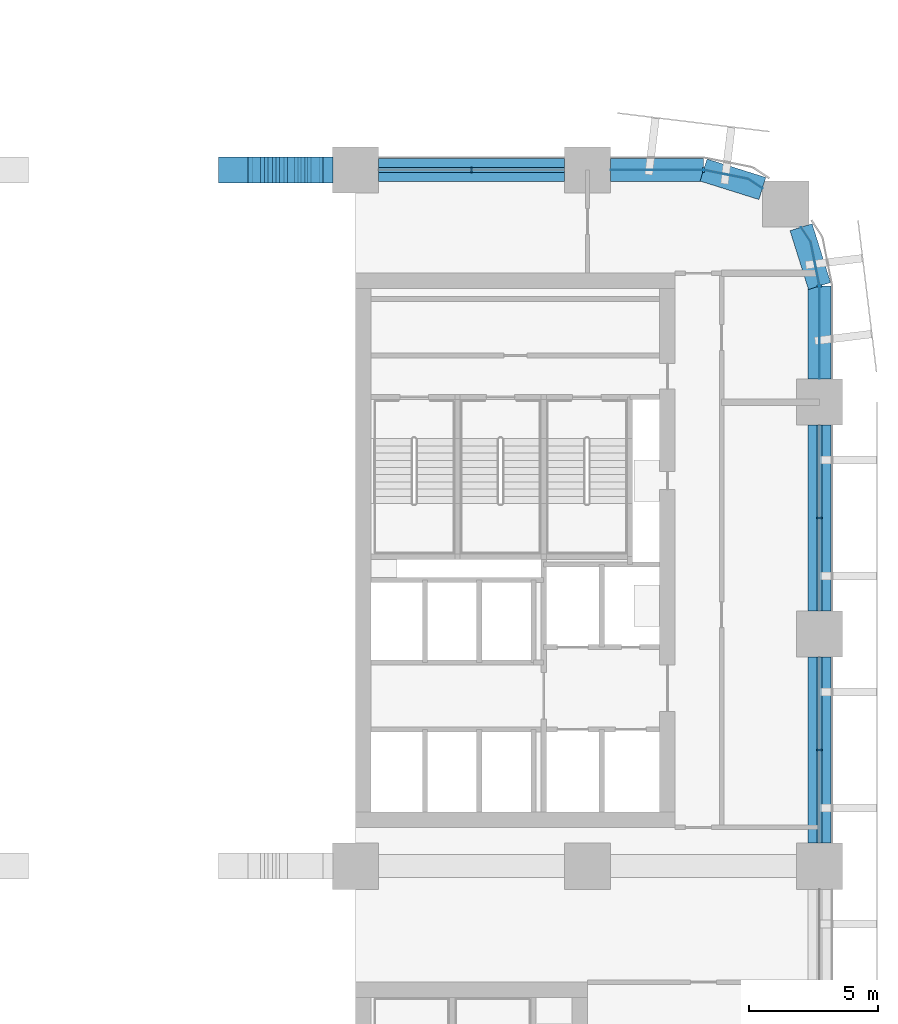
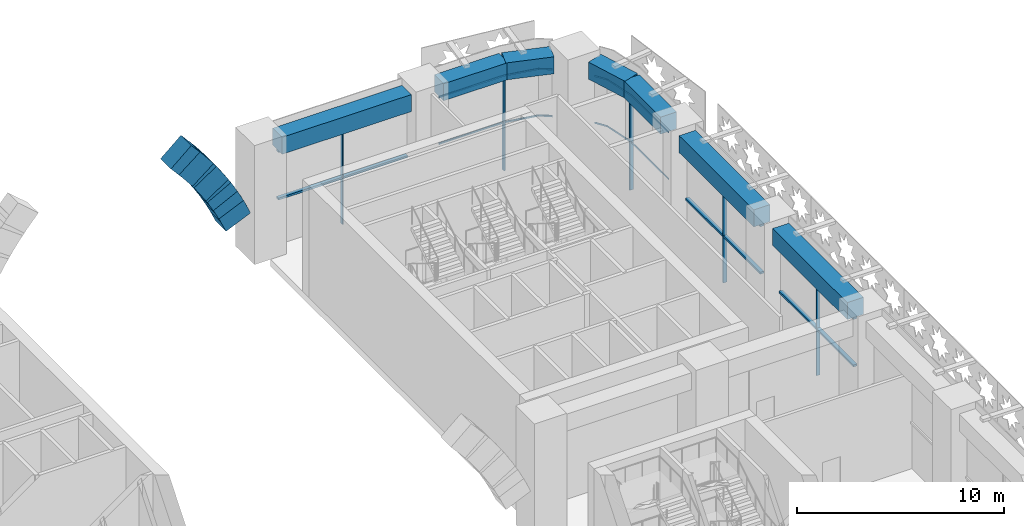
# One storey, part 9 of 42: 23 members, 7 beams, 5 elements without a shape of their own.
"""IFC4 building model written with IfcOpenShell, lengths in metres."""

from ifc_helpers import new_model, si_unit, direction, frame, origin, origin_2d, place, context, subcontext, project, spatial, polyline, rectangle, outline, extrude, material, material_profile, profile_set, type_object, element, aggregate, save


model = new_model("IFC4")

# Units and contexts
model_context = context("Model", 3, precision=1e-05, world=origin(), true_north=direction((0.0, 1.0)))
body_context = subcontext(model_context, "Body", "Model", "MODEL_VIEW")
ifc_project = project(units=[si_unit("LENGTHUNIT", "METRE"), si_unit("AREAUNIT", "SQUARE_METRE"), si_unit("VOLUMEUNIT", "CUBIC_METRE"), si_unit("PLANEANGLEUNIT", "RADIAN"), si_unit("MASSUNIT", "GRAM", prefix="KILO")], contexts=[model_context])

# Site, building, storey
site_placement = place(None, origin())
site = spatial("IfcSite", under=ifc_project, at=site_placement, CompositionType="ELEMENT")
building_placement = place(site_placement, origin())
building = spatial("IfcBuilding", under=site, at=building_placement, Name="Tessera Arch", CompositionType="ELEMENT")
storey_placement = place(building_placement, frame((0.0, 0.0, 14.0)))
storey = spatial("IfcBuildingStorey", under=building, at=storey_placement, Name="L02", CompositionType="ELEMENT", Elevation=14.0)

# Members
ifc_material_1 = material(Name="Concrete C80/95", Category="concrete")
ifc_material_profile_1 = material_profile(ifc_material_1, rectangle(XDim=1.0, YDim=1.5, at=origin_2d()), Name="RC 1000x1500")
ifc_profile_set_1 = profile_set([ifc_material_profile_1], Name="Concrete C80/95")
member_type_1 = type_object("IfcMemberType", Name="Arch rib RC 1000x1500", PredefinedType="MEMBER", material=ifc_profile_set_1)
member_1_placement = place(storey_placement, frame((34.438720703125, 54.0, 2.496826171875), z_axis=(-0.407251614669, 0.0, 0.913316003555), x_axis=(0.0, -1.0, 0.0)))
element("IfcMember", 1, at=member_1_placement, inside=storey, type_object=member_type_1, Name="Arch rib C segment 17", PredefinedType="MEMBER", context=body_context, shape_type="SweptSolid", body=[
    extrude(rectangle(XDim=1.0, YDim=1.5, at=origin_2d()), origin(), (0.0, 0.0, 1.0), 0.9560546875),
])
for number, where, z_axis, x_axis, name in (
    (2, (34.262451171875, 54.0, 2.91796875), (-0.445350252259, 0.0, 0.895356438974), (0.0, -1.0, 0.0), "Arch rib C segment 18"),
    (3, (33.957275390625, 54.0, 3.554931640625), (-0.482563558222, 0.0, 0.875860954876), (0.0, -1.0, 0.0), "Arch rib C segment 19"),
    (4, (33.625732421875, 54.0, 4.1787109375), (-0.519221099191, 0.0, 0.854639953522), (0.0, -1.0, 0.0), "Arch rib C segment 20"),
    (5, (33.26806640625, 54.0, 4.787841796875), (-0.554840327076, 0.0, 0.831956856724), (0.0, -1.0, 0.0), "Arch rib C segment 21"),
    (6, (32.885009765625, 54.0, 5.38134765625), (-0.589422662989, 0.0, 0.807824810436), (0.0, -1.0, 0.0), "Arch rib C segment 22"),
    (7, (32.477294921875, 54.0, 5.958251953125), (-0.622841902494, 0.0, 0.782347726077), (0.0, -1.0, 0.0), "Arch rib C segment 23"),
    (8, (32.04541015625, 54.0, 6.517333984375), (-0.655231032933, 0.0, 0.755428549554), (0.0, -1.0, 0.0), "Arch rib C segment 24"),
):
    element("IfcMember", number, at=place(storey_placement, frame(where, z_axis=z_axis, x_axis=x_axis)), inside=storey, type_object=member_type_1, Name=name, PredefinedType="MEMBER", context=body_context, shape_type="SweptSolid", body=[
        extrude(rectangle(XDim=1.0, YDim=1.5, at=origin_2d()), origin(), (0.0, 0.0, 1.0), 1.2060546875),
    ])

# Curtain wall, member
ifc_material_2 = material(Name="CW2 curtain wall")
curtain_wall_type_1 = type_object("IfcCurtainWallType", Name="CW2 curtain wall", PredefinedType="NOTDEFINED", material=ifc_material_2)
curtain_wall_1_placement = place(storey_placement, origin())
curtain_wall_1 = element("IfcCurtainWall", 9, at=curtain_wall_1_placement, inside=storey, type_object=curtain_wall_type_1, Name="CW2 curtain wall E54.0/4 L02", PredefinedType="NOTDEFINED")
ifc_material_3 = material(Name="Anodised aluminium pale metal", Category="aluminium")
ifc_material_profile_2 = material_profile(ifc_material_3, rectangle(XDim=0.199951171875, YDim=0.080078125, at=origin_2d()), Name="AL 80x200")
ifc_profile_set_2 = profile_set([ifc_material_profile_2], Name="Anodised aluminium pale metal")
member_type_2 = type_object("IfcMemberType", Name="CW2 mullion", PredefinedType="MULLION", material=ifc_profile_set_2)
member_2_placement = place(storey_placement, frame((54.0, 49.5, 0.0), z_axis=(0.0, 0.0, 1.0), x_axis=(-1.0, 0.0, 0.0)))
member_2 = element("IfcMember", 10, at=member_2_placement, type_object=member_type_2, Name="CW2 mullion E54.0/4 1", PredefinedType="MULLION", context=body_context, shape_type="SweptSolid", body=[
    extrude(rectangle(XDim=0.199951171875, YDim=0.080078125, at=origin_2d()), origin(), (0.0, 0.0, 1.0), 5.489990234375),
])

curtain_wall_2_placement = place(storey_placement, origin())
curtain_wall_2 = element("IfcCurtainWall", 11, at=curtain_wall_2_placement, inside=storey, type_object=curtain_wall_type_1, Name="CW2 curtain wall N54.36/0 L02", PredefinedType="NOTDEFINED")
member_3_placement = place(storey_placement, frame((49.5, 54.0, 0.0), z_axis=(0.0, 0.0, 1.0), x_axis=(0.0, -1.0, 0.0)))
member_3 = element("IfcMember", 12, at=member_3_placement, type_object=member_type_2, Name="CW2 mullion N54.36/0 1", PredefinedType="MULLION", context=body_context, shape_type="SweptSolid", body=[
    extrude(rectangle(XDim=0.199951171875, YDim=0.080078125, at=origin_2d()), origin(), (0.0, 0.0, 1.0), 5.489990234375),
])

# Member
ifc_material_4 = material(Name="Anodised aluminium pale metal", Category="aluminium")
ifc_material_profile_3 = material_profile(ifc_material_4, rectangle(XDim=0.199951171875, YDim=0.10009765625, at=origin_2d()), Name="AL 200x100")
ifc_profile_set_3 = profile_set([ifc_material_profile_3], Name="Anodised aluminium pale metal")
member_type_3 = type_object("IfcMemberType", Name="CW2 transom", PredefinedType="USERDEFINED", material=ifc_profile_set_3)
member_4_placement = place(storey_placement, frame((0.0, 0.0, 2.7451171875)))
member_4 = element("IfcMember", 13, at=member_4_placement, type_object=member_type_3, Name="CW2 transom E54.0/4 1", ObjectType="TRANSOM", PredefinedType="USERDEFINED", context=body_context, shape_type="SweptSolid", body=[
    extrude(outline(polyline([(53.989990234375, 49.4990234375), (53.989990234375, 45.89990234375), (54.010009765625, 45.89990234375), (54.010009765625, 49.5009765625), (53.6669921875, 51.22607421875), (53.29150390625, 51.78759765625), (53.27490234375, 51.7763671875), (53.648193359375, 51.21826171875), (53.989990234375, 49.4990234375)])), origin(), (0.0, 0.0, 1.0), 0.099853515625),
])

member_5_placement = place(storey_placement, frame((0.0, 0.0, 5.489990234375)))
member_5 = element("IfcMember", 14, at=member_5_placement, type_object=member_type_3, Name="CW2 transom E54.0/4 2", ObjectType="TRANSOM", PredefinedType="USERDEFINED", context=body_context, shape_type="SweptSolid", body=[
    extrude(outline(polyline([(53.989990234375, 49.4990234375), (53.989990234375, 45.89990234375), (54.010009765625, 45.89990234375), (54.010009765625, 49.5009765625), (53.6669921875, 51.22607421875), (53.29150390625, 51.78759765625), (53.27490234375, 51.7763671875), (53.648193359375, 51.21826171875), (53.989990234375, 49.4990234375)])), origin(), (0.0, 0.0, 1.0), 0.10009765625),
])

aggregate(curtain_wall_1, [member_2, member_4, member_5])

member_6_placement = place(storey_placement, frame((0.0, 0.0, 2.7451171875)))
member_6 = element("IfcMember", 15, at=member_6_placement, type_object=member_type_3, Name="CW2 transom N54.36/0 1", ObjectType="TRANSOM", PredefinedType="USERDEFINED", context=body_context, shape_type="SweptSolid", body=[
    extrude(outline(polyline([(51.21826171875, 53.648193359375), (51.7763671875, 53.27490234375), (51.78759765625, 53.29150390625), (51.22607421875, 53.6669921875), (49.5009765625, 54.010009765625), (45.89990234375, 54.010009765625), (45.89990234375, 53.989990234375), (49.4990234375, 53.989990234375), (51.21826171875, 53.648193359375)])), origin(), (0.0, 0.0, 1.0), 0.099853515625),
])

member_7_placement = place(storey_placement, frame((0.0, 0.0, 5.489990234375)))
member_7 = element("IfcMember", 16, at=member_7_placement, type_object=member_type_3, Name="CW2 transom N54.36/0 2", ObjectType="TRANSOM", PredefinedType="USERDEFINED", context=body_context, shape_type="SweptSolid", body=[
    extrude(outline(polyline([(51.21826171875, 53.648193359375), (51.7763671875, 53.27490234375), (51.78759765625, 53.29150390625), (51.22607421875, 53.6669921875), (49.5009765625, 54.010009765625), (45.89990234375, 54.010009765625), (45.89990234375, 53.989990234375), (49.4990234375, 53.989990234375), (51.21826171875, 53.648193359375)])), origin(), (0.0, 0.0, 1.0), 0.10009765625),
])

aggregate(curtain_wall_2, [member_3, member_6, member_7])

# Curtain wall, member
ifc_material_5 = material(Name="CW6 curtain wall")
curtain_wall_type_2 = type_object("IfcCurtainWallType", Name="CW6 curtain wall", PredefinedType="NOTDEFINED", material=ifc_material_5)
curtain_wall_3_placement = place(storey_placement, origin())
curtain_wall_3 = element("IfcCurtainWall", 17, at=curtain_wall_3_placement, inside=storey, type_object=curtain_wall_type_2, Name="CW6 curtain wall E54.0/2 L02", PredefinedType="NOTDEFINED")
ifc_material_6 = material(Name="Anodised aluminium pale metal", Category="aluminium")
ifc_material_profile_4 = material_profile(ifc_material_6, rectangle(XDim=0.199951171875, YDim=0.070068359375, at=origin_2d()), Name="AL 70x200")
ifc_profile_set_4 = profile_set([ifc_material_profile_4], Name="Anodised aluminium pale metal")
member_type_4 = type_object("IfcMemberType", Name="CW6 mullion", PredefinedType="MULLION", material=ifc_profile_set_4)
member_8_placement = place(storey_placement, frame((54.0, 31.5, 0.0), z_axis=(0.0, 0.0, 1.0), x_axis=(-1.0, 0.0, 0.0)))
member_8 = element("IfcMember", 18, at=member_8_placement, type_object=member_type_4, Name="CW6 mullion E54.0/2 1", PredefinedType="MULLION", context=body_context, shape_type="SweptSolid", body=[
    extrude(rectangle(XDim=0.199951171875, YDim=0.070068359375, at=origin_2d()), origin(), (0.0, 0.0, 1.0), 5.469970703125),
])

curtain_wall_4_placement = place(storey_placement, origin())
curtain_wall_4 = element("IfcCurtainWall", 19, at=curtain_wall_4_placement, inside=storey, type_object=curtain_wall_type_2, Name="CW6 curtain wall E54.0/3 L02", PredefinedType="NOTDEFINED")
member_9_placement = place(storey_placement, frame((54.0, 40.5, 0.0), z_axis=(0.0, 0.0, 1.0), x_axis=(-1.0, 0.0, 0.0)))
member_9 = element("IfcMember", 20, at=member_9_placement, type_object=member_type_4, Name="CW6 mullion E54.0/3 1", PredefinedType="MULLION", context=body_context, shape_type="SweptSolid", body=[
    extrude(rectangle(XDim=0.199951171875, YDim=0.070068359375, at=origin_2d()), origin(), (0.0, 0.0, 1.0), 5.469970703125),
])

curtain_wall_5_placement = place(storey_placement, origin())
curtain_wall_5 = element("IfcCurtainWall", 21, at=curtain_wall_5_placement, inside=storey, type_object=curtain_wall_type_2, Name="CW6 curtain wall N54.36/1 L02", PredefinedType="NOTDEFINED")
member_10_placement = place(storey_placement, frame((40.5, 54.0, 0.0), z_axis=(0.0, 0.0, 1.0), x_axis=(0.0, -1.0, 0.0)))
member_10 = element("IfcMember", 22, at=member_10_placement, type_object=member_type_4, Name="CW6 mullion N54.36/1 1", PredefinedType="MULLION", context=body_context, shape_type="SweptSolid", body=[
    extrude(rectangle(XDim=0.199951171875, YDim=0.070068359375, at=origin_2d()), origin(), (0.0, 0.0, 1.0), 5.469970703125),
])

# Member
ifc_material_7 = material(Name="Anodised aluminium pale metal", Category="aluminium")
ifc_material_profile_5 = material_profile(ifc_material_7, rectangle(XDim=0.199951171875, YDim=0.1201171875, at=origin_2d()), Name="AL 200x120")
ifc_profile_set_5 = profile_set([ifc_material_profile_5], Name="Anodised aluminium pale metal")
member_type_5 = type_object("IfcMemberType", Name="CW6 transom", PredefinedType="USERDEFINED", material=ifc_profile_set_5)
member_11_placement = place(storey_placement, frame((54.0, 27.89990234375, 5.530029296875), z_axis=(0.0, 1.0, 0.0), x_axis=(-1.0, 0.0, 0.0)))
member_11 = element("IfcMember", 23, at=member_11_placement, type_object=member_type_5, Name="CW6 transom E54.0/2 1.1", ObjectType="TRANSOM", PredefinedType="USERDEFINED", context=body_context, shape_type="SweptSolid", body=[
    extrude(rectangle(XDim=0.199951171875, YDim=0.1201171875, at=origin_2d()), origin(), (0.0, 0.0, 1.0), 7.2001953125),
])

member_12_placement = place(storey_placement, frame((54.0, 27.89990234375, 2.735107421875), z_axis=(0.0, 1.0, 0.0), x_axis=(-1.0, 0.0, 0.0)))
member_12 = element("IfcMember", 24, at=member_12_placement, type_object=member_type_5, Name="CW6 transom E54.0/2 2.1", ObjectType="TRANSOM", PredefinedType="USERDEFINED", context=body_context, shape_type="SweptSolid", body=[
    extrude(rectangle(XDim=0.199951171875, YDim=0.1201171875, at=origin_2d()), origin(), (0.0, 0.0, 1.0), 7.2001953125),
])

aggregate(curtain_wall_3, [member_8, member_11, member_12])

member_13_placement = place(storey_placement, frame((54.0, 36.89990234375, 5.530029296875), z_axis=(0.0, 1.0, 0.0), x_axis=(-1.0, 0.0, 0.0)))
member_13 = element("IfcMember", 25, at=member_13_placement, type_object=member_type_5, Name="CW6 transom E54.0/3 1.1", ObjectType="TRANSOM", PredefinedType="USERDEFINED", context=body_context, shape_type="SweptSolid", body=[
    extrude(rectangle(XDim=0.199951171875, YDim=0.1201171875, at=origin_2d()), origin(), (0.0, 0.0, 1.0), 7.2001953125),
])

member_14_placement = place(storey_placement, frame((54.0, 36.89990234375, 2.735107421875), z_axis=(0.0, 1.0, 0.0), x_axis=(-1.0, 0.0, 0.0)))
member_14 = element("IfcMember", 26, at=member_14_placement, type_object=member_type_5, Name="CW6 transom E54.0/3 2.1", ObjectType="TRANSOM", PredefinedType="USERDEFINED", context=body_context, shape_type="SweptSolid", body=[
    extrude(rectangle(XDim=0.199951171875, YDim=0.1201171875, at=origin_2d()), origin(), (0.0, 0.0, 1.0), 7.2001953125),
])

aggregate(curtain_wall_4, [member_9, member_13, member_14])

member_15_placement = place(storey_placement, frame((44.10009765625, 54.0, 5.530029296875), z_axis=(-1.0, 0.0, 0.0), x_axis=(0.0, -1.0, 0.0)))
member_15 = element("IfcMember", 27, at=member_15_placement, type_object=member_type_5, Name="CW6 transom N54.36/1 1.1", ObjectType="TRANSOM", PredefinedType="USERDEFINED", context=body_context, shape_type="SweptSolid", body=[
    extrude(rectangle(XDim=0.199951171875, YDim=0.1201171875, at=origin_2d()), origin(), (0.0, 0.0, 1.0), 7.2001953125),
])

member_16_placement = place(storey_placement, frame((44.10009765625, 54.0, 2.735107421875), z_axis=(-1.0, 0.0, 0.0), x_axis=(0.0, -1.0, 0.0)))
member_16 = element("IfcMember", 28, at=member_16_placement, type_object=member_type_5, Name="CW6 transom N54.36/1 2.1", ObjectType="TRANSOM", PredefinedType="USERDEFINED", context=body_context, shape_type="SweptSolid", body=[
    extrude(rectangle(XDim=0.199951171875, YDim=0.1201171875, at=origin_2d()), origin(), (0.0, 0.0, 1.0), 7.2001953125),
])

aggregate(curtain_wall_5, [member_10, member_15, member_16])

# Beams
ifc_material_8 = material(Name="Concrete C80/95", Category="concrete")
ifc_material_profile_6 = material_profile(ifc_material_8, rectangle(XDim=0.89990234375, YDim=1.0, at=origin_2d()), Name="RC spandrel beam 900 x 1000 Concrete C80/95")
ifc_profile_set_6 = profile_set([ifc_material_profile_6], Name="Concrete C80/95")
beam_type = type_object("IfcBeamType", Name="RC spandrel beam 900 x 1000 Concrete C80/95", PredefinedType="BEAM", material=ifc_profile_set_6)
for number, where, z_axis, x_axis, name in (
    (29, (54.0, 27.89990234375, 6.090087890625), (0.0, 1.0, 0.0), (-1.0, 0.0, 0.0), "Spandrel beam L02 E54.0/2"),
    (30, (54.0, 36.89990234375, 6.090087890625), (0.0, 1.0, 0.0), (-1.0, 0.0, 0.0), "Spandrel beam L02 E54.0/3"),
):
    element("IfcBeam", number, at=place(storey_placement, frame(where, z_axis=z_axis, x_axis=x_axis)), inside=storey, type_object=beam_type, Name=name, PredefinedType="BEAM", context=body_context, shape_type="SweptSolid", body=[
        extrude(rectangle(XDim=0.89990234375, YDim=1.0, at=origin_2d()), origin(), (0.0, 0.0, 1.0), 7.2001953125),
    ])
beam_1_placement = place(storey_placement, frame((54.0, 45.89990234375, 6.090087890625), z_axis=(0.0, 1.0, 0.0), x_axis=(-1.0, 0.0, 0.0)))
element("IfcBeam", 31, at=beam_1_placement, inside=storey, type_object=beam_type, Name="Spandrel beam L02 E54.0/4.1", PredefinedType="BEAM", context=body_context, shape_type="SweptSolid", body=[
    extrude(rectangle(XDim=0.89990234375, YDim=1.0, at=origin_2d()), origin(), (0.0, 0.0, 1.0), 3.60009765625),
])
for number, where, z_axis, x_axis, name in (
    (32, (54.0, 49.5, 6.090087890625), (-0.299675309057, 0.954041251279, 0.0), (-0.954041251279, -0.299675309057, 0.0), "Spandrel beam L02 E54.0/4.2"),
    (33, (51.781982421875, 53.283203125, 6.090087890625), (-0.954041251279, 0.299675309057, 0.0), (-0.299675309057, -0.954041251279, 0.0), "Spandrel beam L02 N54.36/0.1"),
):
    element("IfcBeam", number, at=place(storey_placement, frame(where, z_axis=z_axis, x_axis=x_axis)), inside=storey, type_object=beam_type, Name=name, PredefinedType="BEAM", context=body_context, shape_type="SweptSolid", body=[
        extrude(rectangle(XDim=0.89990234375, YDim=1.0, at=origin_2d()), origin(), (0.0, 0.0, 1.0), 2.391845703125),
    ])
beam_2_placement = place(storey_placement, frame((49.5, 54.0, 6.090087890625), z_axis=(-1.0, 0.0, 0.0), x_axis=(0.0, -1.0, 0.0)))
element("IfcBeam", 34, at=beam_2_placement, inside=storey, type_object=beam_type, Name="Spandrel beam L02 N54.36/0.2", PredefinedType="BEAM", context=body_context, shape_type="SweptSolid", body=[
    extrude(rectangle(XDim=0.89990234375, YDim=1.0, at=origin_2d()), origin(), (0.0, 0.0, 1.0), 3.60009765625),
])
beam_3_placement = place(storey_placement, frame((44.10009765625, 54.0, 6.090087890625), z_axis=(-1.0, 0.0, 0.0), x_axis=(0.0, -1.0, 0.0)))
element("IfcBeam", 35, at=beam_3_placement, inside=storey, type_object=beam_type, Name="Spandrel beam L02 N54.36/1", PredefinedType="BEAM", context=body_context, shape_type="SweptSolid", body=[
    extrude(rectangle(XDim=0.89990234375, YDim=1.0, at=origin_2d()), origin(), (0.0, 0.0, 1.0), 7.2001953125),
])

save(model, "model.ifc")
